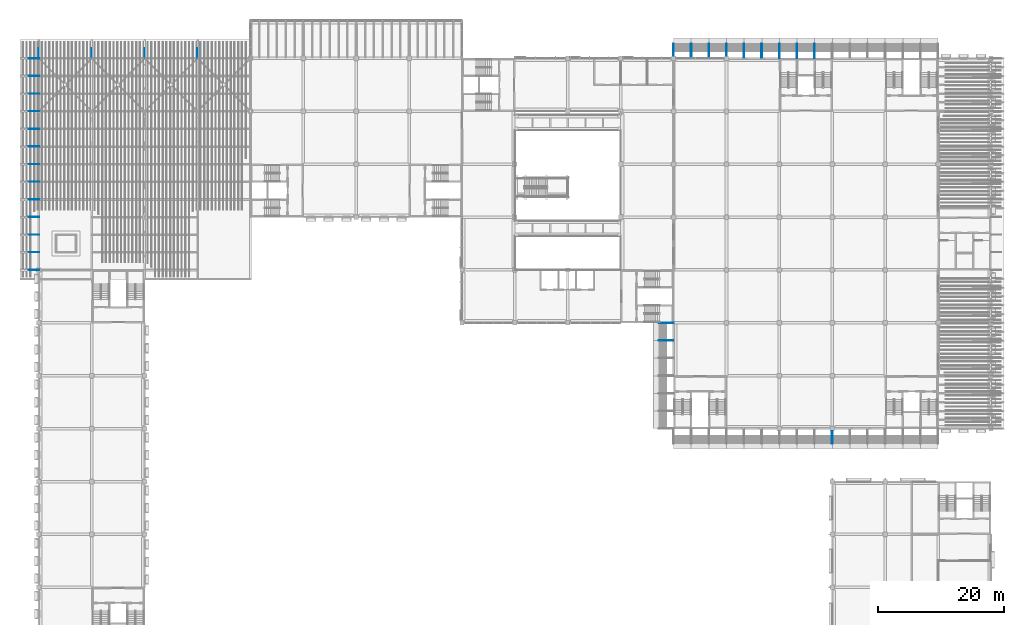
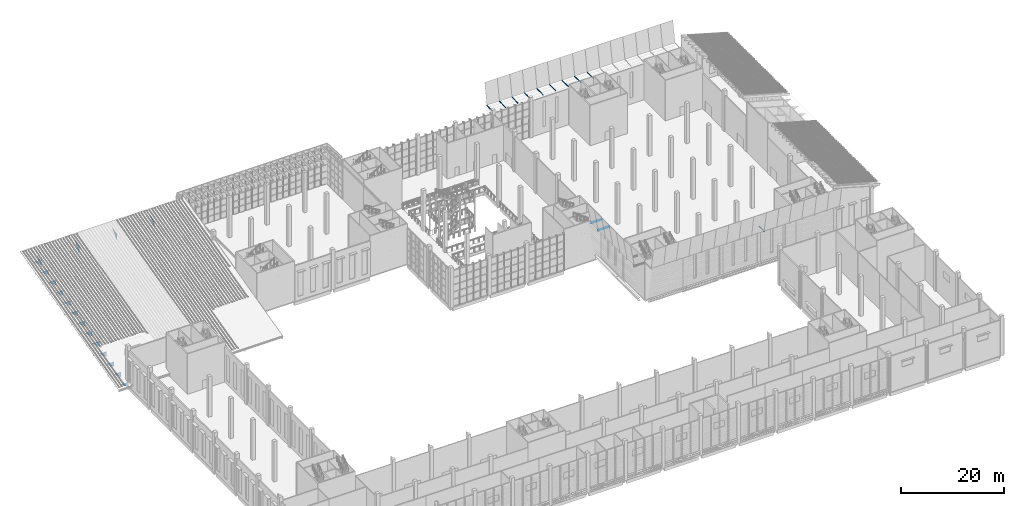
# One storey, part 60 of 114: 29 discrete accessories.
"""IFC4 building model written with IfcOpenShell, lengths in metres."""

from ifc_helpers import new_model, si_unit, direction, frame, origin, origin_2d, place, context, subcontext, project, spatial, polyline, rectangle, outline, extrude, material, type_object, element, save


model = new_model("IFC4")

# Units and contexts
model_context = context("Model", 3, precision=1e-05, world=origin(), true_north=direction((0.0, 1.0)))
body_context = subcontext(model_context, "Body", "Model", "MODEL_VIEW")
ifc_project = project(units=[si_unit("LENGTHUNIT", "METRE"), si_unit("AREAUNIT", "SQUARE_METRE"), si_unit("VOLUMEUNIT", "CUBIC_METRE"), si_unit("PLANEANGLEUNIT", "RADIAN"), si_unit("MASSUNIT", "GRAM", prefix="KILO")], contexts=[model_context])

# Site, building, storey
site_placement = place(None, origin())
site = spatial("IfcSite", under=ifc_project, at=site_placement, CompositionType="ELEMENT")
building_placement = place(site_placement, origin())
building = spatial("IfcBuilding", under=site, at=building_placement, Name="Almond Square Museum", CompositionType="ELEMENT")
storey_placement = place(building_placement, frame((0.0, 0.0, 10.5)))
storey = spatial("IfcBuildingStorey", under=building, at=storey_placement, Name="L02", CompositionType="ELEMENT", Elevation=10.5)

# Discrete accessories
ifc_material_1 = material(Name="Structural steel S355", Category="steel")
discrete_accessory_type_1 = type_object("IfcDiscreteAccessoryType", Name="Eave knee bracket", PredefinedType="BRACKET", material=ifc_material_1)
for number, where, z_axis, x_axis, name in (
    (1, (6.0400390625, 75.60009765625, 0.739501953125), (0.0, 1.0, 0.0), (0.0, 0.0, -1.0), "Eave knee bracket V3W.2"),
    (2, (6.0400390625, 78.39990234375, 1.447998046875), (0.0, 1.0, 0.0), (0.0, 0.0, -1.0), "Eave knee bracket V3W.3"),
    (3, (6.0400390625, 81.199951171875, 2.15625), (0.0, 1.0, 0.0), (0.0, 0.0, -1.0), "Eave knee bracket V3W.4"),
    (4, (6.0400390625, 84.0, 2.864501953125), (0.0, 1.0, 0.0), (0.0, 0.0, -1.0), "Eave knee bracket V3W.5"),
    (5, (6.0400390625, 86.800048828125, 3.572998046875), (0.0, 1.0, 0.0), (0.0, 0.0, -1.0), "Eave knee bracket V3W.6"),
    (6, (6.0400390625, 89.60009765625, 4.28125), (0.0, 1.0, 0.0), (0.0, 0.0, -1.0), "Eave knee bracket V3W.7"),
    (7, (6.0400390625, 92.39990234375, 4.989501953125), (0.0, 1.0, 0.0), (0.0, 0.0, -1.0), "Eave knee bracket V3W.8"),
    (8, (6.0400390625, 95.199951171875, 5.697998046875), (0.0, 1.0, 0.0), (0.0, 0.0, -1.0), "Eave knee bracket V3W.9"),
    (9, (6.0400390625, 98.0, 6.40625), (0.0, 1.0, 0.0), (0.0, 0.0, -1.0), "Eave knee bracket V3W.10"),
    (10, (6.0400390625, 100.800048828125, 7.114501953125), (0.0, 1.0, 0.0), (0.0, 0.0, -1.0), "Eave knee bracket V3W.11"),
    (11, (6.0400390625, 103.60009765625, 7.822998046875), (0.0, 1.0, 0.0), (0.0, 0.0, -1.0), "Eave knee bracket V3W.12"),
    (12, (6.0400390625, 106.39990234375, 8.53125), (0.0, 1.0, 0.0), (0.0, 0.0, -1.0), "Eave knee bracket V3W.13"),
    (13, (6.0400390625, 109.199951171875, 9.239501953125), (0.0, 1.0, 0.0), (0.0, 0.0, -1.0), "Eave knee bracket V3W.14"),
):
    element("IfcDiscreteAccessory", number, at=place(storey_placement, frame(where, z_axis=z_axis, x_axis=x_axis)), inside=storey, type_object=discrete_accessory_type_1, Name=name, PredefinedType="BRACKET", context=body_context, shape_type="SweptSolid", body=[
        extrude(outline(polyline([(0.0, 0.0), (1.199951171875, 0.0), (0.0, 1.64013671875), (0.0, 0.0)])), frame((0.0, 0.0, -0.01513671875)), (0.0, 0.0, 1.0), 0.030029296875),
    ])
discrete_accessory_1_placement = place(storey_placement, frame((6.0, 109.159912109375, 8.819091796875), z_axis=(1.0, 0.0, 0.0), x_axis=(0.0, 0.0, -1.0)))
element("IfcDiscreteAccessory", 14, at=discrete_accessory_1_placement, inside=storey, type_object=discrete_accessory_type_1, Name="Eave knee bracket V3N.1", PredefinedType="BRACKET", context=body_context, shape_type="SweptSolid", body=[
    extrude(outline(polyline([(0.0, 0.0), (1.2001953125, 0.0), (-0.414794921875, 1.64013671875), (0.0, 0.0)])), frame((0.0, 0.0, -0.01513671875)), (0.0, 0.0, 1.0), 0.030029296875),
])
for number, where, z_axis, x_axis, name in (
    (15, (14.39990234375, 109.159912109375, 9.3388671875), (1.0, 0.0, 0.0), (0.0, 0.0, -1.0), "Eave knee bracket V3N.2"),
    (16, (22.800048828125, 109.159912109375, 9.3388671875), (1.0, 0.0, 0.0), (0.0, 0.0, -1.0), "Eave knee bracket V3N.3"),
    (17, (31.199951171875, 109.159912109375, 9.3388671875), (1.0, 0.0, 0.0), (0.0, 0.0, -1.0), "Eave knee bracket V3N.4"),
):
    element("IfcDiscreteAccessory", number, at=place(storey_placement, frame(where, z_axis=z_axis, x_axis=x_axis)), inside=storey, type_object=discrete_accessory_type_1, Name=name, PredefinedType="BRACKET", context=body_context, shape_type="SweptSolid", body=[
        extrude(outline(polyline([(0.0, 0.0), (1.199951171875, 0.0), (-0.414794921875, 1.64013671875), (0.0, 0.0)])), frame((0.0, 0.0, -0.01513671875)), (0.0, 0.0, 1.0), 0.030029296875),
    ])
ifc_material_2 = material(Name="Stainless steel", Category="steel")
discrete_accessory_type_2 = type_object("IfcDiscreteAccessoryType", Name="Louvre post bracket", PredefinedType="BRACKET", material=ifc_material_2)
for number, where, z_axis, x_axis, name in (
    (18, (132.0, 49.017333984375, 8.83984375), (0.0, 0.0, 1.0), (1.0, 0.0, 0.0), "Bracket louvre post"),
    (19, (106.800048828125, 110.582763671875, 8.83984375), (0.0, 0.0, 1.0), (1.0, 0.0, 0.0), "Bracket louvre post"),
):
    element("IfcDiscreteAccessory", number, at=place(storey_placement, frame(where, z_axis=z_axis, x_axis=x_axis)), inside=storey, type_object=discrete_accessory_type_2, Name=name, PredefinedType="BRACKET", context=body_context, shape_type="SweptSolid", body=[
        extrude(rectangle(XDim=0.10009765625, YDim=1.969482421875, at=origin_2d()), origin(), (0.0, 0.0, 1.0), 0.1201171875),
    ])
for number, where, z_axis, x_axis, name in (
    (20, (109.60009765625, 110.3828125, 8.83984375), (0.0, 0.0, 1.0), (1.0, 0.0, 0.0), "Bracket louvre post"),
    (21, (112.39990234375, 110.3828125, 8.83984375), (0.0, 0.0, 1.0), (1.0, 0.0, 0.0), "Bracket louvre post"),
):
    element("IfcDiscreteAccessory", number, at=place(storey_placement, frame(where, z_axis=z_axis, x_axis=x_axis)), inside=storey, type_object=discrete_accessory_type_2, Name=name, PredefinedType="BRACKET", context=body_context, shape_type="SweptSolid", body=[
        extrude(rectangle(XDim=0.10009765625, YDim=2.369384765625, at=origin_2d()), origin(), (0.0, 0.0, 1.0), 0.1201171875),
    ])
discrete_accessory_2_placement = place(storey_placement, frame((115.199951171875, 110.582763671875, 8.83984375), z_axis=(0.0, 0.0, 1.0), x_axis=(1.0, 0.0, 0.0)))
element("IfcDiscreteAccessory", 22, at=discrete_accessory_2_placement, inside=storey, type_object=discrete_accessory_type_2, Name="Bracket louvre post", PredefinedType="BRACKET", context=body_context, shape_type="SweptSolid", body=[
    extrude(rectangle(XDim=0.10009765625, YDim=1.969482421875, at=origin_2d()), origin(), (0.0, 0.0, 1.0), 0.1201171875),
])
for number, where, z_axis, x_axis, name in (
    (23, (118.0, 110.3828125, 8.83984375), (0.0, 0.0, 1.0), (1.0, 0.0, 0.0), "Bracket louvre post"),
    (24, (120.800048828125, 110.3828125, 8.83984375), (0.0, 0.0, 1.0), (1.0, 0.0, 0.0), "Bracket louvre post"),
    (25, (123.60009765625, 110.3828125, 8.83984375), (0.0, 0.0, 1.0), (1.0, 0.0, 0.0), "Bracket louvre post"),
    (26, (126.39990234375, 110.3828125, 8.83984375), (0.0, 0.0, 1.0), (1.0, 0.0, 0.0), "Bracket louvre post"),
    (27, (129.199951171875, 110.3828125, 8.83984375), (0.0, 0.0, 1.0), (1.0, 0.0, 0.0), "Bracket louvre post"),
):
    element("IfcDiscreteAccessory", number, at=place(storey_placement, frame(where, z_axis=z_axis, x_axis=x_axis)), inside=storey, type_object=discrete_accessory_type_2, Name=name, PredefinedType="BRACKET", context=body_context, shape_type="SweptSolid", body=[
        extrude(rectangle(XDim=0.10009765625, YDim=2.369384765625, at=origin_2d()), origin(), (0.0, 0.0, 1.0), 0.1201171875),
    ])
for number, where, z_axis, x_axis, name in (
    (28, (105.6171875, 64.39990234375, 8.83984375), (0.0, 0.0, 1.0), (1.0, 0.0, 0.0), "Bracket louvre post"),
    (29, (105.6171875, 67.199951171875, 8.83984375), (0.0, 0.0, 1.0), (1.0, 0.0, 0.0), "Bracket louvre post"),
):
    element("IfcDiscreteAccessory", number, at=place(storey_placement, frame(where, z_axis=z_axis, x_axis=x_axis)), inside=storey, type_object=discrete_accessory_type_2, Name=name, PredefinedType="BRACKET", context=body_context, shape_type="SweptSolid", body=[
        extrude(rectangle(XDim=2.369384765625, YDim=0.10009765625, at=origin_2d()), origin(), (0.0, 0.0, 1.0), 0.1201171875),
    ])

save(model, "model.ifc")
